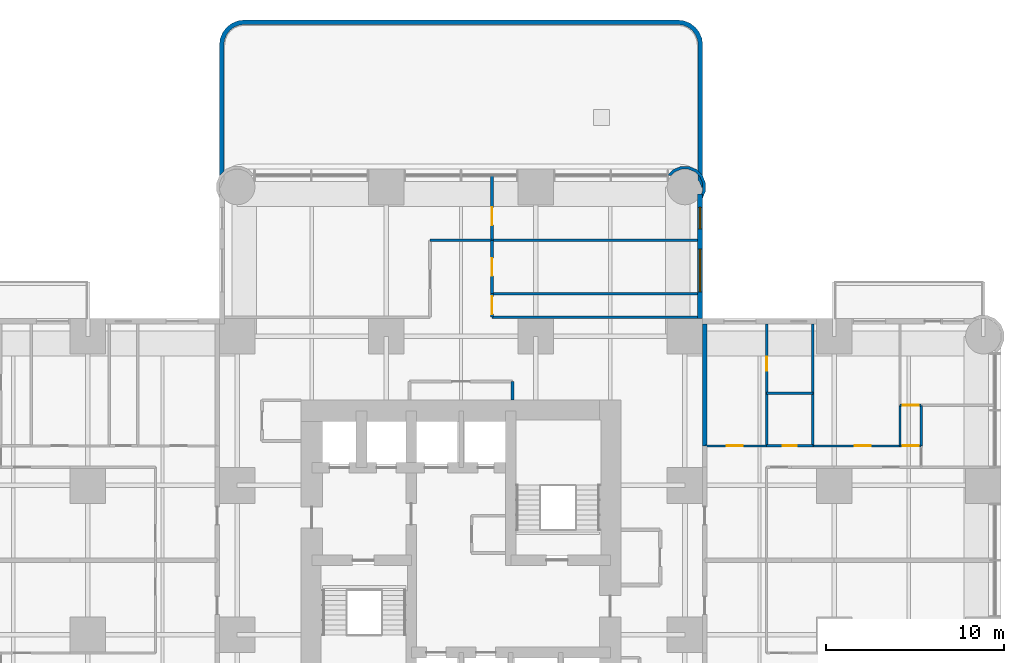
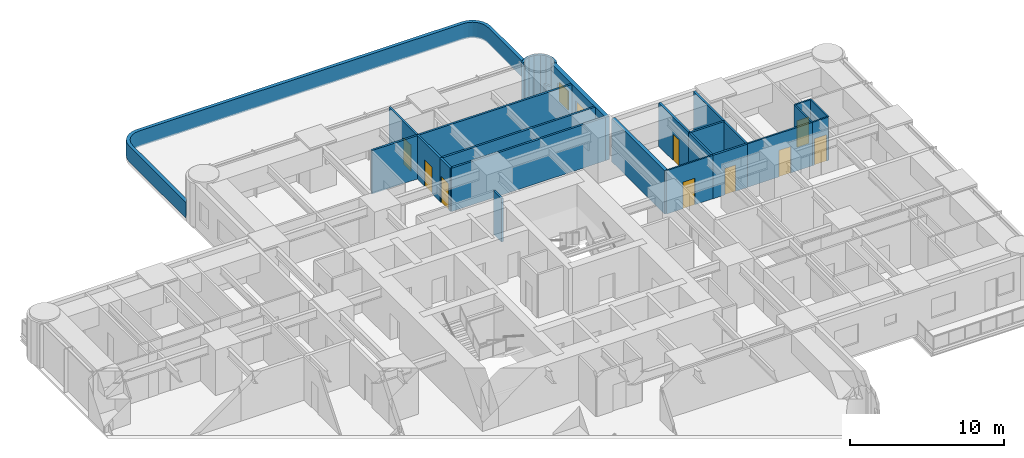
# One storey, part 11 of 14: 25 walls, 9 doors, 2 windows, 11 openings.
"""IFC4 building model written with IfcOpenShell, lengths in metres."""

from ifc_helpers import new_model, si_unit, direction, frame, frame_2d, origin, place, context, subcontext, project, spatial, polyline, rectangle, outline, extrude, material, layer, layer_set, type_object, element, fill, save


model = new_model("IFC4")

# Units and contexts
model_context = context("Model", 3, precision=1e-05, world=origin(), true_north=direction((0.0, 1.0)))
body_context = subcontext(model_context, "Body", "Model", "MODEL_VIEW")
ifc_project = project(units=[si_unit("LENGTHUNIT", "METRE"), si_unit("AREAUNIT", "SQUARE_METRE"), si_unit("VOLUMEUNIT", "CUBIC_METRE"), si_unit("PLANEANGLEUNIT", "RADIAN"), si_unit("MASSUNIT", "GRAM", prefix="KILO")], contexts=[model_context])

# Site, building, storey
site_placement = place(None, origin())
site = spatial("IfcSite", under=ifc_project, at=site_placement, CompositionType="ELEMENT")
building_placement = place(site_placement, origin())
building = spatial("IfcBuilding", under=site, at=building_placement, Name="Torre Alcanfor", CompositionType="ELEMENT")
storey_placement = place(building_placement, frame((0.0, 0.0, 108.89990234375)))
storey = spatial("IfcBuildingStorey", under=building, at=storey_placement, Name="L27", CompositionType="ELEMENT", Elevation=108.89990234375)

# Wall
ifc_material_1 = material(Name="Concrete block masonry, hollow blocks NMX-C-404 9 MPa", Category="masonry")
ifc_layer_1 = layer(ifc_material_1, 0.25)
ifc_layer_set_1 = layer_set([ifc_layer_1], Name="Apartment entrance wall 250 EI 60")
wall_type_1 = type_object("IfcWallType", Name="Apartment entrance wall 250 EI 60", PredefinedType="PARTITIONING", material=ifc_layer_set_1)
wall_1_placement = place(storey_placement, frame((43.125, 42.699951171875, 0.0), z_axis=(0.0, 0.0, 1.0), x_axis=(0.0, -1.0, 0.0)))
element("IfcWall", 1, at=wall_1_placement, inside=storey, type_object=wall_type_1, Name="Partition L27-CORR / L27-E1-SERV", PredefinedType="PARTITIONING", context=body_context, shape_type="SweptSolid", body=[
    extrude(rectangle(XDim=6.870849609375, YDim=0.25, at=frame_2d((3.435546875, 0.0))), origin(), (0.0, 0.0, 1.0), 3.4501953125),
])

# Wall, opening, door
ifc_material_2 = material(Name="Gypsum board on steel studs", Category="steel")
ifc_layer_2 = layer(ifc_material_2, 0.1201171875)
ifc_layer_set_2 = layer_set([ifc_layer_2], Name="Apartment partition 120")
wall_type_2 = type_object("IfcWallType", Name="Apartment partition 120", PredefinedType="PARTITIONING", material=ifc_layer_set_2)
wall_2_placement = place(storey_placement, frame((46.60009765625, 35.8291015625, 0.0), z_axis=(0.0, 0.0, 1.0), x_axis=(-1.0, 0.0, 0.0)))
wall_2 = element("IfcWall", 2, at=wall_2_placement, inside=storey, type_object=wall_type_2, Name="Partition L27-E1-HALL / L27-E1-SERV", PredefinedType="PARTITIONING", context=body_context, shape_type="SweptSolid", body=[
    extrude(rectangle(XDim=3.47509765625, YDim=0.1201171875, at=frame_2d((1.737548828125, 0.0))), origin(), (0.0, 0.0, 1.0), 3.4501953125),
])
opening_1_placement = place(wall_2_placement, frame((1.35009765625, 0.0, 0.0)))
opening_1 = element("IfcOpeningElement", 3, at=opening_1_placement, cuts=wall_2, Name="Opening D-R1", PredefinedType="OPENING", context=body_context, shape_type="SweptSolid", body=[
    extrude(rectangle(XDim=0.89990234375, YDim=2.10009765625, at=frame_2d((0.449951171875, 1.050048828125))), frame((0.0, 0.070068359375, 0.0), z_axis=(0.0, -1.0, 0.0), x_axis=(1.0, 0.0, 0.0)), (0.0, 0.0, 1.0), 0.14013671875),
])
ifc_material_3 = material(Name="Timber", Category="wood")
door_type_1 = type_object("IfcDoorType", Name="Internal door 900x2100", OperationType="SINGLE_SWING_LEFT", PredefinedType="DOOR", material=ifc_material_3)
door_1_placement = place(opening_1_placement, frame((0.89990234375, 0.0, 0.0), z_axis=(0.0, 0.0, 1.0), x_axis=(-1.0, 0.0, 0.0)))
door_1 = element("IfcDoor", 4, at=door_1_placement, inside=storey, type_object=door_type_1, Name="Door L27-E1 serv", OperationType="SINGLE_SWING_LEFT", OverallHeight=2.10009765625, OverallWidth=0.89990234375, PredefinedType="DOOR", context=body_context, shape_type="SweptSolid", body=[
    extrude(rectangle(XDim=0.89990234375, YDim=2.10009765625, at=frame_2d((0.449951171875, 1.050048828125))), frame((0.0, 0.025146484375, 0.0), z_axis=(0.0, -1.0, 0.0), x_axis=(1.0, 0.0, 0.0)), (0.0, 0.0, 1.0), 0.050048828125),
])
fill(opening_1, door_1)

wall_3_placement = place(storey_placement, frame((54.10009765625, 35.8291015625, 0.0), z_axis=(0.0, 0.0, 1.0), x_axis=(-1.0, 0.0, 0.0)))
wall_3 = element("IfcWall", 5, at=wall_3_placement, inside=storey, type_object=wall_type_2, Name="Partition L27-E1-HALL / L27-E1-BED3", PredefinedType="PARTITIONING", context=body_context, shape_type="SweptSolid", body=[
    extrude(rectangle(XDim=4.900146484375, YDim=0.1201171875, at=frame_2d((2.4501953125, 0.0))), origin(), (0.0, 0.0, 1.0), 3.4501953125),
])
opening_2_placement = place(wall_3_placement, frame((1.64990234375, 0.0, 0.0)))
opening_2 = element("IfcOpeningElement", 6, at=opening_2_placement, cuts=wall_3, Name="Opening D-R1", PredefinedType="OPENING", context=body_context, shape_type="SweptSolid", body=[
    extrude(rectangle(XDim=0.89990234375, YDim=2.10009765625, at=frame_2d((0.449951171875, 1.050048828125))), frame((0.0, 0.070068359375, 0.0), z_axis=(0.0, -1.0, 0.0), x_axis=(1.0, 0.0, 0.0)), (0.0, 0.0, 1.0), 0.14013671875),
])
door_2_placement = place(opening_2_placement, frame((0.89990234375, 0.0, 0.0), z_axis=(0.0, 0.0, 1.0), x_axis=(-1.0, 0.0, 0.0)))
door_2 = element("IfcDoor", 7, at=door_2_placement, inside=storey, type_object=door_type_1, Name="Door L27-E1 bed3", OperationType="SINGLE_SWING_RIGHT", OverallHeight=2.10009765625, OverallWidth=0.89990234375, PredefinedType="DOOR", context=body_context, shape_type="SweptSolid", body=[
    extrude(rectangle(XDim=0.89990234375, YDim=2.10009765625, at=frame_2d((0.449951171875, 1.050048828125))), frame((0.0, 0.025146484375, 0.0), z_axis=(0.0, -1.0, 0.0), x_axis=(1.0, 0.0, 0.0)), (0.0, 0.0, 1.0), 0.050048828125),
])
fill(opening_2, door_2)

wall_4_placement = place(storey_placement, frame((55.300048828125, 35.8291015625, 0.0), z_axis=(0.0, 0.0, 1.0), x_axis=(-1.0, 0.0, 0.0)))
wall_4 = element("IfcWall", 8, at=wall_4_placement, inside=storey, type_object=wall_type_2, Name="Partition L27-E1-HALL / L27-E1-VEST", PredefinedType="PARTITIONING", context=body_context, shape_type="SweptSolid", body=[
    extrude(rectangle(XDim=1.199951171875, YDim=0.1201171875, at=frame_2d((0.60009765625, 0.0))), origin(), (0.0, 0.0, 1.0), 3.4501953125),
])
opening_3_placement = place(wall_4_placement, frame((0.14990234375, 0.0, 0.0)))
opening_3 = element("IfcOpeningElement", 9, at=opening_3_placement, cuts=wall_4, Name="Opening D-R1", PredefinedType="OPENING", context=body_context, shape_type="SweptSolid", body=[
    extrude(rectangle(XDim=0.89990234375, YDim=2.10009765625, at=frame_2d((0.449951171875, 1.050048828125))), frame((0.0, 0.070068359375, 0.0), z_axis=(0.0, -1.0, 0.0), x_axis=(1.0, 0.0, 0.0)), (0.0, 0.0, 1.0), 0.14013671875),
])
door_3_placement = place(opening_3_placement, frame((0.89990234375, 0.0, 0.0), z_axis=(0.0, 0.0, 1.0), x_axis=(-1.0, 0.0, 0.0)))
door_3 = element("IfcDoor", 10, at=door_3_placement, inside=storey, type_object=door_type_1, Name="Door L27-E1 vest", OperationType="SINGLE_SWING_RIGHT", OverallHeight=2.10009765625, OverallWidth=0.89990234375, PredefinedType="DOOR", context=body_context, shape_type="SweptSolid", body=[
    extrude(rectangle(XDim=0.89990234375, YDim=2.10009765625, at=frame_2d((0.449951171875, 1.050048828125))), frame((0.0, 0.025146484375, 0.0), z_axis=(0.0, -1.0, 0.0), x_axis=(1.0, 0.0, 0.0)), (0.0, 0.0, 1.0), 0.050048828125),
])
fill(opening_3, door_3)

# Walls
for number, where, z_axis, x_axis, name in (
    (11, (54.10009765625, 35.8291015625, 0.0), (0.0, 0.0, 1.0), (0.0, 1.0, 0.0), "Partition L27-E1-BED3 / L27-E1-VEST"),
    (12, (55.300048828125, 35.8291015625, 0.0), (0.0, 0.0, 1.0), (0.0, 1.0, 0.0), "Partition L27-E1-VEST / L27-E1-BED2"),
):
    element("IfcWall", number, at=place(storey_placement, frame(where, z_axis=z_axis, x_axis=x_axis)), inside=storey, type_object=wall_type_2, Name=name, PredefinedType="PARTITIONING", context=body_context, shape_type="SweptSolid", body=[
        extrude(rectangle(XDim=2.284912109375, YDim=0.1201171875, at=frame_2d((1.142578125, 0.0))), origin(), (0.0, 0.0, 1.0), 3.4501953125),
    ])

# Wall, opening, door
wall_5_placement = place(storey_placement, frame((55.300048828125, 38.114013671875, 0.0), z_axis=(0.0, 0.0, 1.0), x_axis=(-1.0, 0.0, 0.0)))
wall_5 = element("IfcWall", 13, at=wall_5_placement, inside=storey, type_object=wall_type_2, Name="Partition L27-E1-VEST / L27-E1-MASTER", PredefinedType="PARTITIONING", context=body_context, shape_type="SweptSolid", body=[
    extrude(rectangle(XDim=1.199951171875, YDim=0.1201171875, at=frame_2d((0.60009765625, 0.0))), origin(), (0.0, 0.0, 1.0), 3.4501953125),
])
opening_4_placement = place(wall_5_placement, frame((0.14990234375, 0.0, 0.0)))
opening_4 = element("IfcOpeningElement", 14, at=opening_4_placement, cuts=wall_5, Name="Opening D-R1", PredefinedType="OPENING", context=body_context, shape_type="SweptSolid", body=[
    extrude(rectangle(XDim=0.89990234375, YDim=2.10009765625, at=frame_2d((0.449951171875, 1.050048828125))), frame((0.0, 0.070068359375, 0.0), z_axis=(0.0, -1.0, 0.0), x_axis=(1.0, 0.0, 0.0)), (0.0, 0.0, 1.0), 0.14013671875),
])
door_4_placement = place(opening_4_placement, origin())
door_4 = element("IfcDoor", 15, at=door_4_placement, inside=storey, type_object=door_type_1, Name="Door L27-E1 master", OperationType="SINGLE_SWING_LEFT", OverallHeight=2.10009765625, OverallWidth=0.89990234375, PredefinedType="DOOR", context=body_context, shape_type="SweptSolid", body=[
    extrude(rectangle(XDim=0.89990234375, YDim=2.10009765625, at=frame_2d((0.449951171875, 1.050048828125))), frame((0.0, 0.02490234375, 0.0), z_axis=(0.0, -1.0, 0.0), x_axis=(1.0, 0.0, 0.0)), (0.0, 0.0, 1.0), 0.050048828125),
])
fill(opening_4, door_4)

# Wall, openings, windows
ifc_material_4 = material(Name="Limestone cladding", Category="masonry")
ifc_layer_3 = layer(ifc_material_4, 0.0400390625, Name="Facing")
ifc_material_5 = material(Name="Ventilated air cavity")
ifc_layer_4 = layer(ifc_material_5, 0.02001953125, ventilated=True, Name="Ventilated joint")
ifc_material_6 = material(Name="Mineral wool insulation", Category="insulation")
ifc_layer_5 = layer(ifc_material_6, 0.10009765625, Name="Insulation")
ifc_material_7 = material(Name="Concrete f'c 35 MPa", Category="concrete")
ifc_layer_6 = layer(ifc_material_7, 0.139892578125, Name="Backing")
ifc_layer_set_3 = layer_set([ifc_layer_3, ifc_layer_4, ifc_layer_5, ifc_layer_6], Name="External wall stone-clad 300")
wall_type_3 = type_object("IfcWallType", Name="External wall stone-clad 300", PredefinedType="SOLIDWALL", material=ifc_layer_set_3)
wall_6_placement = place(storey_placement, frame((42.85009765625, 43.0, 0.0), z_axis=(0.0, 0.0, 1.0), x_axis=(0.0, 1.0, 0.0)))
wall_6 = element("IfcWall", 16, at=wall_6_placement, inside=storey, type_object=wall_type_3, Name="External wall L27 10", PredefinedType="SOLIDWALL", context=body_context, shape_type="SweptSolid", body=[
    extrude(rectangle(XDim=7.0, YDim=0.300048828125, at=frame_2d((3.5, 0.0))), origin(), (0.0, 0.0, 1.0), 3.4501953125),
])
opening_5_placement = place(wall_6_placement, frame((1.5, 0.0, 0.89990234375)))
opening_5 = element("IfcOpeningElement", 17, at=opening_5_placement, cuts=wall_6, Name="Opening W1", PredefinedType="OPENING", context=body_context, shape_type="SweptSolid", body=[
    extrude(rectangle(XDim=2.39990234375, YDim=1.5, at=frame_2d((1.199951171875, 0.75))), frame((0.0, 0.159912109375, 0.0), z_axis=(0.0, -1.0, 0.0), x_axis=(1.0, 0.0, 0.0)), (0.0, 0.0, 1.0), 0.320068359375),
])
opening_6_placement = place(wall_6_placement, frame((5.050048828125, 0.0, 0.89990234375)))
opening_6 = element("IfcOpeningElement", 18, at=opening_6_placement, cuts=wall_6, Name="Opening W4", PredefinedType="OPENING", context=body_context, shape_type="SweptSolid", body=[
    extrude(rectangle(XDim=1.199951171875, YDim=1.5, at=frame_2d((0.60009765625, 0.75))), frame((0.0, 0.159912109375, 0.0), z_axis=(0.0, -1.0, 0.0), x_axis=(1.0, 0.0, 0.0)), (0.0, 0.0, 1.0), 0.320068359375),
])
ifc_material_8 = material(Name="Aluminium frame with clear double glazing", Category="aluminium")
window_type_1 = type_object("IfcWindowType", Name="Window bedroom 1200x1500", PartitioningType="SINGLE_PANEL", PredefinedType="WINDOW", material=ifc_material_8)
window_1_placement = place(opening_6_placement, origin())
window_1 = element("IfcWindow", 19, at=window_1_placement, inside=storey, type_object=window_type_1, Name="Window W4 L27-N2", OverallHeight=1.5, OverallWidth=1.199951171875, PartitioningType="SINGLE_PANEL", PredefinedType="WINDOW", context=body_context, shape_type="SweptSolid", body=[
    extrude(rectangle(XDim=1.199951171875, YDim=1.5, at=frame_2d((0.60009765625, 0.75))), frame((0.0, 0.030029296875, 0.0), z_axis=(0.0, -1.0, 0.0), x_axis=(1.0, 0.0, 0.0)), (0.0, 0.0, 1.0), 0.06005859375),
])
fill(opening_6, window_1)
ifc_material_9 = material(Name="Aluminium frame with clear double glazing", Category="aluminium")
window_type_2 = type_object("IfcWindowType", Name="Window bedroom 2400x1500", PartitioningType="SINGLE_PANEL", PredefinedType="WINDOW", material=ifc_material_9)
window_2_placement = place(opening_5_placement, origin())
window_2 = element("IfcWindow", 20, at=window_2_placement, inside=storey, type_object=window_type_2, Name="Window W1 L27-N2", OverallHeight=1.5, OverallWidth=2.39990234375, PartitioningType="SINGLE_PANEL", PredefinedType="WINDOW", context=body_context, shape_type="SweptSolid", body=[
    extrude(rectangle(XDim=2.39990234375, YDim=1.5, at=frame_2d((1.199951171875, 0.75))), frame((0.0, 0.030029296875, 0.0), z_axis=(0.0, -1.0, 0.0), x_axis=(1.0, 0.0, 0.0)), (0.0, 0.0, 1.0), 0.06005859375),
])
fill(opening_5, window_2)

# Walls
ifc_layer_7 = layer(ifc_material_4, 0.0400390625, Name="Facing")
ifc_layer_8 = layer(ifc_material_5, 0.02001953125, ventilated=True, Name="Ventilated joint")
ifc_layer_9 = layer(ifc_material_7, 0.18994140625, Name="Backing")
ifc_layer_set_4 = layer_set([ifc_layer_7, ifc_layer_8, ifc_layer_9], Name="Parapet stone-clad 250")
wall_type_4 = type_object("IfcWallType", Name="Parapet stone-clad 250", PredefinedType="PARAPET", material=ifc_layer_set_4)
wall_7_placement = place(storey_placement, origin())
element("IfcWall", 21, at=wall_7_placement, inside=storey, type_object=wall_type_4, Name="Parapet L27 2", PredefinedType="PARAPET", context=body_context, shape_type="SweptSolid", body=[
    extrude(outline(polyline([(15.987548828125, 59.10009765625), (16.210205078125, 59.389892578125), (16.5, 59.6123046875), (16.837646484375, 59.752197265625), (17.199951171875, 59.800048828125), (41.60009765625, 59.800048828125), (41.96240234375, 59.752197265625), (42.300048828125, 59.6123046875), (42.58984375, 59.389892578125), (42.8125, 59.10009765625), (42.952392578125, 58.76220703125), (43.0, 58.39990234375), (43.0, 51.01708984375), (42.9833984375, 51.05712890625), (42.75, 51.29052734375), (42.75, 58.383544921875), (42.708740234375, 58.697021484375), (42.593994140625, 58.973876953125), (42.41162109375, 59.211669921875), (42.173828125, 59.39404296875), (41.89697265625, 59.5087890625), (41.58349609375, 59.550048828125), (17.21630859375, 59.550048828125), (16.903076171875, 59.5087890625), (16.626220703125, 59.39404296875), (16.388427734375, 59.211669921875), (16.2060546875, 58.973876953125), (16.09130859375, 58.697021484375), (16.050048828125, 58.383544921875), (16.050048828125, 51.29052734375), (15.816650390625, 51.05712890625), (15.800048828125, 51.01708984375), (15.800048828125, 58.39990234375), (15.84765625, 58.76220703125), (15.987548828125, 59.10009765625)])), origin(), (0.0, 0.0, 1.0), 1.25),
])
wall_8_placement = place(storey_placement, origin())
element("IfcWall", 22, at=wall_8_placement, inside=storey, type_object=wall_type_4, Name="Parapet L27 2", PredefinedType="PARAPET", context=body_context, shape_type="SweptSolid", body=[
    extrude(outline(polyline([(42.8125, 50.699951171875), (42.739990234375, 50.794189453125), (42.739990234375, 51.07568359375), (42.8486328125, 50.967041015625), (43.0, 50.6015625), (43.0, 50.377197265625), (42.946044921875, 50.377197265625), (42.8125, 50.699951171875)])), origin(), (0.0, 0.0, 1.0), 1.25),
])
ifc_material_10 = material(Name="Concrete block masonry, hollow blocks NMX-C-404 9 MPa", Category="masonry")
ifc_layer_10 = layer(ifc_material_10, 0.14990234375)
ifc_layer_set_5 = layer_set([ifc_layer_10], Name="Residents' room partition 150")
wall_type_5 = type_object("IfcWallType", Name="Residents' room partition 150", PredefinedType="PARTITIONING", material=ifc_layer_set_5)
wall_9_placement = place(storey_placement, frame((32.300048828125, 38.39990234375, 0.0), z_axis=(0.0, 0.0, 1.0), x_axis=(0.0, 1.0, 0.0)))
element("IfcWall", 23, at=wall_9_placement, inside=storey, type_object=wall_type_5, Name="Partition L27-CORR / L27-G01", PredefinedType="PARTITIONING", context=body_context, shape_type="SweptSolid", body=[
    extrude(rectangle(XDim=1.050048828125, YDim=0.14990234375, at=frame_2d((0.52490234375, 0.0))), origin(), (0.0, 0.0, 1.0), 3.4501953125),
])
wall_10_placement = place(storey_placement, frame((31.14306640625, 43.074951171875, 0.0), z_axis=(0.0, 0.0, 1.0), x_axis=(1.0, 0.0, 0.0)))
element("IfcWall", 24, at=wall_10_placement, inside=storey, type_object=wall_type_5, Name="Partition L27-CORR / L27-N-WC", PredefinedType="PARTITIONING", context=body_context, shape_type="SweptSolid", body=[
    extrude(rectangle(XDim=11.556884765625, YDim=0.14990234375, at=frame_2d((5.7783203125, 0.0))), origin(), (0.0, 0.0, 1.0), 3.4501953125),
])
wall_11_placement = place(storey_placement, frame((31.14306640625, 47.39990234375, 0.0), z_axis=(0.0, 0.0, 1.0), x_axis=(-1.0, 0.0, 0.0)))
element("IfcWall", 25, at=wall_11_placement, inside=storey, type_object=wall_type_5, Name="Partition L27-N-ACORR / L27-N-LOUNGE", PredefinedType="PARTITIONING", context=body_context, shape_type="SweptSolid", body=[
    extrude(rectangle(XDim=3.486083984375, YDim=0.14990234375, at=frame_2d((1.7431640625, 0.0))), origin(), (0.0, 0.0, 1.0), 3.4501953125),
])

# Wall, opening, door
wall_12_placement = place(storey_placement, frame((31.14306640625, 43.074951171875, 0.0), z_axis=(0.0, 0.0, 1.0), x_axis=(0.0, 1.0, 0.0)))
wall_12 = element("IfcWall", 26, at=wall_12_placement, inside=storey, type_object=wall_type_5, Name="Partition L27-N-ACORR / L27-N-WC", PredefinedType="PARTITIONING", context=body_context, shape_type="SweptSolid", body=[
    extrude(rectangle(XDim=1.324951171875, YDim=0.14990234375, at=frame_2d((0.66259765625, 0.0))), origin(), (0.0, 0.0, 1.0), 3.4501953125),
])
opening_7_placement = place(wall_12_placement, frame((0.175048828125, 0.0, 0.0)))
opening_7 = element("IfcOpeningElement", 27, at=opening_7_placement, cuts=wall_12, Name="Opening D-W2", PredefinedType="OPENING", context=body_context, shape_type="SweptSolid", body=[
    extrude(rectangle(XDim=1.0, YDim=2.10009765625, at=frame_2d((0.5, 1.050048828125))), frame((0.0, 0.0849609375, 0.0), z_axis=(0.0, -1.0, 0.0), x_axis=(1.0, 0.0, 0.0)), (0.0, 0.0, 1.0), 0.169921875),
])
ifc_material_11 = material(Name="Timber", Category="wood")
door_type_2 = type_object("IfcDoorType", Name="Accessible WC door 1000x2100", OperationType="SINGLE_SWING_LEFT", PredefinedType="DOOR", material=ifc_material_11)
door_5_placement = place(opening_7_placement, origin())
door_5 = element("IfcDoor", 28, at=door_5_placement, inside=storey, type_object=door_type_2, Name="Door L27 N wc", OperationType="SINGLE_SWING_LEFT", OverallHeight=2.10009765625, OverallWidth=1.0, PredefinedType="DOOR", context=body_context, shape_type="SweptSolid", body=[
    extrude(rectangle(XDim=1.0, YDim=2.10009765625, at=frame_2d((0.5, 1.050048828125))), frame((0.0, 0.02490234375, 0.0), z_axis=(0.0, -1.0, 0.0), x_axis=(1.0, 0.0, 0.0)), (0.0, 0.0, 1.0), 0.050048828125),
])
fill(opening_7, door_5)

wall_13_placement = place(storey_placement, frame((31.14306640625, 44.39990234375, 0.0), z_axis=(0.0, 0.0, 1.0), x_axis=(0.0, 1.0, 0.0)))
wall_13 = element("IfcWall", 29, at=wall_13_placement, inside=storey, type_object=wall_type_5, Name="Partition L27-N-ACORR / L27-N-KITCH", PredefinedType="PARTITIONING", context=body_context, shape_type="SweptSolid", body=[
    extrude(rectangle(XDim=3.0, YDim=0.14990234375, at=frame_2d((1.5, 0.0))), origin(), (0.0, 0.0, 1.0), 3.4501953125),
])
opening_8_placement = place(wall_13_placement, frame((1.0, 0.0, 0.0)))
opening_8 = element("IfcOpeningElement", 30, at=opening_8_placement, cuts=wall_13, Name="Opening D-M1", PredefinedType="OPENING", context=body_context, shape_type="SweptSolid", body=[
    extrude(rectangle(XDim=1.0, YDim=2.10009765625, at=frame_2d((0.5, 1.050048828125))), frame((0.0, 0.0849609375, 0.0), z_axis=(0.0, -1.0, 0.0), x_axis=(1.0, 0.0, 0.0)), (0.0, 0.0, 1.0), 0.169921875),
])
ifc_material_12 = material(Name="Timber", Category="wood")
door_type_3 = type_object("IfcDoorType", Name="Residents' room door 1000x2100", OperationType="SINGLE_SWING_LEFT", PredefinedType="DOOR", material=ifc_material_12)
door_6_placement = place(opening_8_placement, frame((1.0, 0.0, 0.0), z_axis=(0.0, 0.0, 1.0), x_axis=(-1.0, 0.0, 0.0)))
door_6 = element("IfcDoor", 31, at=door_6_placement, inside=storey, type_object=door_type_3, Name="Door L27 N kitch", OperationType="SINGLE_SWING_RIGHT", OverallHeight=2.10009765625, OverallWidth=1.0, PredefinedType="DOOR", context=body_context, shape_type="SweptSolid", body=[
    extrude(rectangle(XDim=1.0, YDim=2.10009765625, at=frame_2d((0.5, 1.050048828125))), frame((0.0, 0.025146484375, 0.0), z_axis=(0.0, -1.0, 0.0), x_axis=(1.0, 0.0, 0.0)), (0.0, 0.0, 1.0), 0.050048828125),
])
fill(opening_8, door_6)

wall_14_placement = place(storey_placement, frame((31.14306640625, 51.050048828125, 0.0), z_axis=(0.0, 0.0, 1.0), x_axis=(0.0, -1.0, 0.0)))
wall_14 = element("IfcWall", 32, at=wall_14_placement, inside=storey, type_object=wall_type_5, Name="Partition L27-N-LOUNGE / L27-N-WGARD", PredefinedType="PARTITIONING", context=body_context, shape_type="SweptSolid", body=[
    extrude(rectangle(XDim=3.650146484375, YDim=0.14990234375, at=frame_2d((1.8251953125, 0.0))), origin(), (0.0, 0.0, 1.0), 3.4501953125),
])
opening_9_placement = place(wall_14_placement, frame((1.800048828125, 0.0, 0.0)))
opening_9 = element("IfcOpeningElement", 33, at=opening_9_placement, cuts=wall_14, Name="Opening D-M1", PredefinedType="OPENING", context=body_context, shape_type="SweptSolid", body=[
    extrude(rectangle(XDim=1.0, YDim=2.10009765625, at=frame_2d((0.5, 1.050048828125))), frame((0.0, 0.0849609375, 0.0), z_axis=(0.0, -1.0, 0.0), x_axis=(1.0, 0.0, 0.0)), (0.0, 0.0, 1.0), 0.169921875),
])
door_7_placement = place(opening_9_placement, origin())
door_7 = element("IfcDoor", 34, at=door_7_placement, inside=storey, type_object=door_type_3, Name="Door L27 N wgard", OperationType="SINGLE_SWING_RIGHT", OverallHeight=2.10009765625, OverallWidth=1.0, PredefinedType="DOOR", context=body_context, shape_type="SweptSolid", body=[
    extrude(rectangle(XDim=1.0, YDim=2.10009765625, at=frame_2d((0.5, 1.050048828125))), frame((0.0, 0.02490234375, 0.0), z_axis=(0.0, -1.0, 0.0), x_axis=(1.0, 0.0, 0.0)), (0.0, 0.0, 1.0), 0.050048828125),
])
fill(opening_9, door_7)

# Walls
for number, where, z_axis, x_axis, name in (
    (35, (42.699951171875, 44.39990234375, 0.0), (0.0, 0.0, 1.0), (-1.0, 0.0, 0.0), "Partition L27-N-WC / L27-N-KITCH"),
    (36, (42.699951171875, 47.39990234375, 0.0), (0.0, 0.0, 1.0), (-1.0, 0.0, 0.0), "Partition L27-N-KITCH / L27-N-WGARD"),
):
    element("IfcWall", number, at=place(storey_placement, frame(where, z_axis=z_axis, x_axis=x_axis)), inside=storey, type_object=wall_type_5, Name=name, PredefinedType="PARTITIONING", context=body_context, shape_type="SweptSolid", body=[
        extrude(rectangle(XDim=11.556884765625, YDim=0.14990234375, at=frame_2d((5.7783203125, 0.0))), origin(), (0.0, 0.0, 1.0), 3.4501953125),
    ])
ifc_layer_11 = layer(ifc_material_4, 0.0400390625, Name="Facing")
ifc_layer_12 = layer(ifc_material_5, 0.02001953125, ventilated=True, Name="Ventilated joint")
ifc_layer_13 = layer(ifc_material_6, 0.10009765625, Name="Insulation")
ifc_layer_14 = layer(ifc_material_7, 0.139892578125, Name="Backing")
ifc_layer_set_6 = layer_set([ifc_layer_11, ifc_layer_12, ifc_layer_13, ifc_layer_14], Name="Rounded corner pier stone-clad 300")
wall_type_6 = type_object("IfcWallType", Name="Rounded corner pier stone-clad 300", PredefinedType="SOLIDWALL", material=ifc_layer_set_6)
wall_15_placement = place(storey_placement, frame((42.919127633, 49.83289825, 0.0), z_axis=(0.0, 0.0, 1.0), x_axis=(0.555974394895, 0.831199417842, 0.0)))
element("IfcWall", 37, at=wall_15_placement, inside=storey, type_object=wall_type_6, Name="Corner pier L27 19", PredefinedType="SOLIDWALL", context=body_context, shape_type="SweptSolid", body=[
    extrude(outline(polyline([(0.4133950558156311, -0.01317061842259179), (0.7969318965681165, 0.24337030109664498), (1.0533127304211238, 0.6272190430353506), (1.14294765626668, 1.079879056032056), (1.0528737024170565, 1.5324668600985993), (0.7963327828978198, 1.9160037008510848), (0.4124168473499963, 2.172045869222467), (0.01719423029332945, 2.250460811063314), (-0.022985819690264142, 2.2235850956851086), (0.07501552628480945, 2.0770699639267516), (0.3504862987823911, 2.0222386301683475), (0.6815326550921907, 1.8013259590608133), (0.9030537030580079, 1.4701449410142229), (0.9808439867439442, 1.0798338214622403), (0.9035054913670044, 0.6891495916029556), (0.6823898907140987, 0.35796749935690236), (0.3514118022128797, 0.1365821873273388), (0.12599816068823022, 0.09154655912054449), (0.18385784262696836, 0.025683229972142008), (0.003453476791540032, -0.09498601735727676), (0.4133950558156311, -0.01317061842259179)])), origin(), (0.0, 0.0, 1.0), 3.4501953125),
])

# Wall, opening, door
ifc_material_13 = material(Name="Cement board on steel studs", Category="steel")
ifc_layer_15 = layer(ifc_material_13, 0.14990234375)
ifc_layer_set_7 = layer_set([ifc_layer_15], Name="Wet area partition 150")
wall_type_7 = type_object("IfcWallType", Name="Wet area partition 150", PredefinedType="PARTITIONING", material=ifc_layer_set_7)
wall_16_placement = place(storey_placement, frame((49.199951171875, 35.8291015625, 0.0), z_axis=(0.0, 0.0, 1.0), x_axis=(-1.0, 0.0, 0.0)))
wall_16 = element("IfcWall", 38, at=wall_16_placement, inside=storey, type_object=wall_type_7, Name="Partition L27-E1-HALL / L27-E1-BATH1", PredefinedType="PARTITIONING", context=body_context, shape_type="SweptSolid", body=[
    extrude(rectangle(XDim=2.599853515625, YDim=0.14990234375, at=frame_2d((1.2998046875, 0.0))), origin(), (0.0, 0.0, 1.0), 3.4501953125),
])
opening_10_placement = place(wall_16_placement, frame((0.89990234375, 0.0, 0.0)))
opening_10 = element("IfcOpeningElement", 39, at=opening_10_placement, cuts=wall_16, Name="Opening D-R2", PredefinedType="OPENING", context=body_context, shape_type="SweptSolid", body=[
    extrude(rectangle(XDim=0.800048828125, YDim=2.10009765625, at=frame_2d((0.39990234375, 1.050048828125))), frame((0.0, 0.0849609375, 0.0), z_axis=(0.0, -1.0, 0.0), x_axis=(1.0, 0.0, 0.0)), (0.0, 0.0, 1.0), 0.169921875),
])
ifc_material_14 = material(Name="Timber", Category="wood")
door_type_4 = type_object("IfcDoorType", Name="Bathroom door 800x2100", OperationType="SINGLE_SWING_LEFT", PredefinedType="DOOR", material=ifc_material_14)
door_8_placement = place(opening_10_placement, frame((0.800048828125, 0.0, 0.0), z_axis=(0.0, 0.0, 1.0), x_axis=(-1.0, 0.0, 0.0)))
door_8 = element("IfcDoor", 40, at=door_8_placement, inside=storey, type_object=door_type_4, Name="Door L27-E1 bath1", OperationType="SINGLE_SWING_RIGHT", OverallHeight=2.10009765625, OverallWidth=0.800048828125, PredefinedType="DOOR", context=body_context, shape_type="SweptSolid", body=[
    extrude(rectangle(XDim=0.800048828125, YDim=2.10009765625, at=frame_2d((0.400146484375, 1.050048828125))), frame((0.0, 0.025146484375, 0.0), z_axis=(0.0, -1.0, 0.0), x_axis=(1.0, 0.0, 0.0)), (0.0, 0.0, 1.0), 0.050048828125),
])
fill(opening_10, door_8)

# Wall
wall_17_placement = place(storey_placement, frame((46.60009765625, 35.8291015625, 0.0), z_axis=(0.0, 0.0, 1.0), x_axis=(0.0, 1.0, 0.0)))
element("IfcWall", 41, at=wall_17_placement, inside=storey, type_object=wall_type_7, Name="Partition L27-E1-SERV / L27-E1-BATH1", PredefinedType="PARTITIONING", context=body_context, shape_type="SweptSolid", body=[
    extrude(rectangle(XDim=2.970947265625, YDim=0.14990234375, at=frame_2d((1.4853515625, 0.0))), origin(), (0.0, 0.0, 1.0), 3.4501953125),
])

# Wall, opening, door
wall_18_placement = place(storey_placement, frame((46.60009765625, 38.800048828125, 0.0), z_axis=(0.0, 0.0, 1.0), x_axis=(0.0, 1.0, 0.0)))
wall_18 = element("IfcWall", 42, at=wall_18_placement, inside=storey, type_object=wall_type_7, Name="Partition L27-E1-SERV / L27-E1-SBATH", PredefinedType="PARTITIONING", context=body_context, shape_type="SweptSolid", body=[
    extrude(rectangle(XDim=3.89990234375, YDim=0.14990234375, at=frame_2d((1.949951171875, 0.0))), origin(), (0.0, 0.0, 1.0), 3.4501953125),
])
opening_11_placement = place(wall_18_placement, frame((1.25, 0.0, 0.0)))
opening_11 = element("IfcOpeningElement", 43, at=opening_11_placement, cuts=wall_18, Name="Opening D-R2", PredefinedType="OPENING", context=body_context, shape_type="SweptSolid", body=[
    extrude(rectangle(XDim=0.800048828125, YDim=2.10009765625, at=frame_2d((0.39990234375, 1.050048828125))), frame((0.0, 0.0849609375, 0.0), z_axis=(0.0, -1.0, 0.0), x_axis=(1.0, 0.0, 0.0)), (0.0, 0.0, 1.0), 0.169921875),
])
door_9_placement = place(opening_11_placement, frame((0.800048828125, 0.0, 0.0), z_axis=(0.0, 0.0, 1.0), x_axis=(-1.0, 0.0, 0.0)))
door_9 = element("IfcDoor", 44, at=door_9_placement, inside=storey, type_object=door_type_4, Name="Door L27-E1 sbath", OperationType="SINGLE_SWING_RIGHT", OverallHeight=2.10009765625, OverallWidth=0.800048828125, PredefinedType="DOOR", context=body_context, shape_type="SweptSolid", body=[
    extrude(rectangle(XDim=0.800048828125, YDim=2.10009765625, at=frame_2d((0.400146484375, 1.050048828125))), frame((0.0, 0.025146484375, 0.0), z_axis=(0.0, -1.0, 0.0), x_axis=(1.0, 0.0, 0.0)), (0.0, 0.0, 1.0), 0.050048828125),
])
fill(opening_11, door_9)

# Walls
wall_19_placement = place(storey_placement, frame((49.199951171875, 38.800048828125, 0.0), z_axis=(0.0, 0.0, 1.0), x_axis=(-1.0, 0.0, 0.0)))
element("IfcWall", 45, at=wall_19_placement, inside=storey, type_object=wall_type_7, Name="Partition L27-E1-BATH1 / L27-E1-SBATH", PredefinedType="PARTITIONING", context=body_context, shape_type="SweptSolid", body=[
    extrude(rectangle(XDim=2.599853515625, YDim=0.14990234375, at=frame_2d((1.2998046875, 0.0))), origin(), (0.0, 0.0, 1.0), 3.4501953125),
])
wall_20_placement = place(storey_placement, frame((49.199951171875, 35.8291015625, 0.0), z_axis=(0.0, 0.0, 1.0), x_axis=(0.0, 1.0, 0.0)))
element("IfcWall", 46, at=wall_20_placement, inside=storey, type_object=wall_type_7, Name="Partition L27-E1-BATH1 / L27-E1-BED3", PredefinedType="PARTITIONING", context=body_context, shape_type="SweptSolid", body=[
    extrude(rectangle(XDim=2.970947265625, YDim=0.14990234375, at=frame_2d((1.4853515625, 0.0))), origin(), (0.0, 0.0, 1.0), 3.4501953125),
])
wall_21_placement = place(storey_placement, frame((49.199951171875, 38.800048828125, 0.0), z_axis=(0.0, 0.0, 1.0), x_axis=(0.0, 1.0, 0.0)))
element("IfcWall", 47, at=wall_21_placement, inside=storey, type_object=wall_type_7, Name="Partition L27-E1-SBATH / L27-E1-BED3", PredefinedType="PARTITIONING", context=body_context, shape_type="SweptSolid", body=[
    extrude(rectangle(XDim=3.89990234375, YDim=0.14990234375, at=frame_2d((1.949951171875, 0.0))), origin(), (0.0, 0.0, 1.0), 3.4501953125),
])

save(model, "model.ifc")
